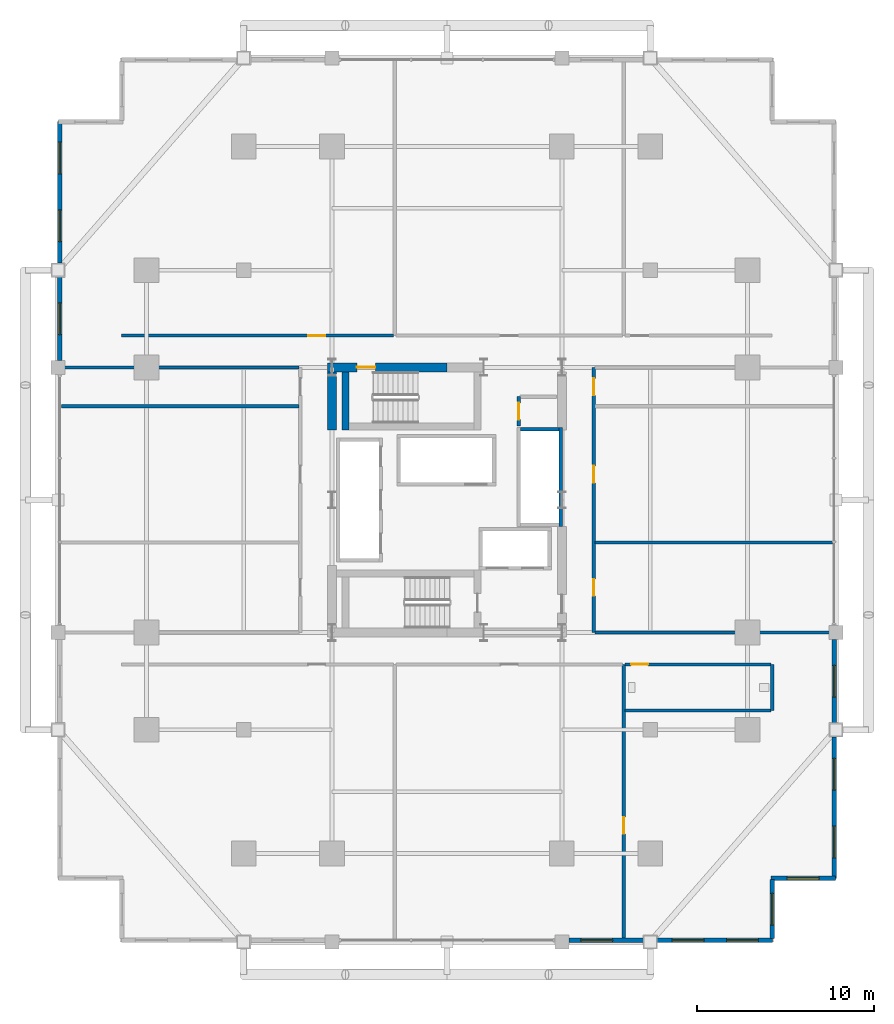
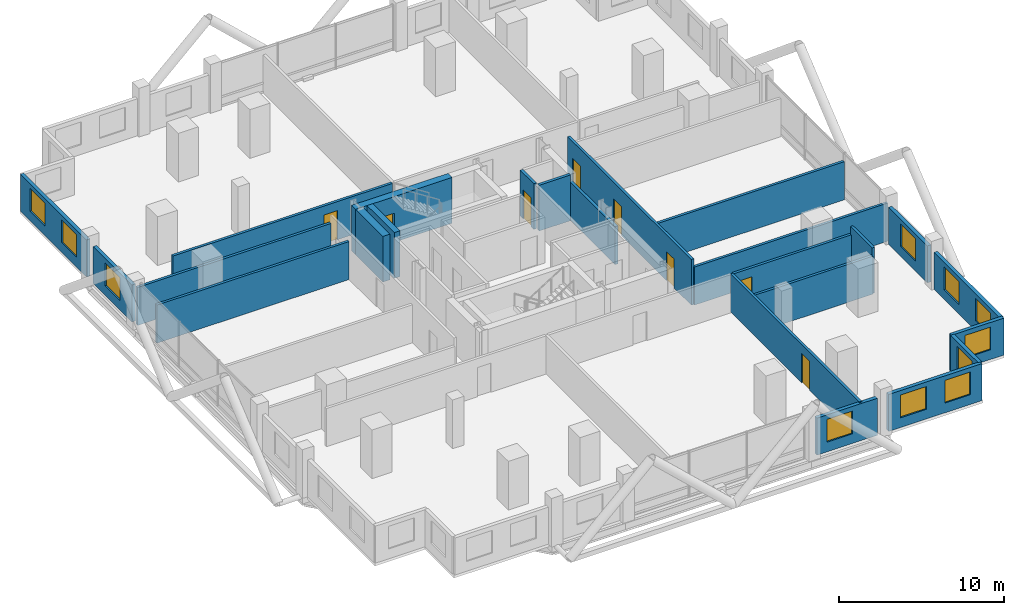
# One storey, part 22 of 26: 24 walls, 11 windows, 8 doors, 19 openings.
"""IFC4 building model written with IfcOpenShell, lengths in metres."""

import ifcopenshell
import ifcopenshell.guid

model = None  # the IFC model being written
_history = None  # IfcOwnerHistory: only IFC2X3 demands one
_inside = {}  # id of a spatial element -> (the spatial element, [elements in it])
_under = {}  # id of a project, library or spatial element -> (it, [spatial elements below it])
_declared = {}  # id of a project -> (the project, [libraries it declares])
_typed = {}  # id of a type object -> (the type object, [elements of that type])
_made_of = {}  # id of a material, layer set ... -> (it, [elements and type objects made of it])


def new_model(schema):
    """Start an empty IFC model of exactly this schema.

    Asked for "IFC4X3", IfcOpenShell would pick the latest addendum, in which some entities
    have other attributes; the version numbers below select the first issue.
    IFC2X3 requires an IfcOwnerHistory on every rooted entity: one is made here for all.
    """
    global model, _history
    if schema == "IFC4X3":
        model = ifcopenshell.file(schema_version=(4, 3, 0, 0))
    else:
        model = ifcopenshell.file(schema=schema)
    _inside.clear()
    _under.clear()
    _declared.clear()
    _typed.clear()
    _made_of.clear()
    _history = None
    if model.schema == "IFC2X3":
        org = make("IfcOrganization", Name="unknown")
        user = make(
            "IfcPersonAndOrganization",
            ThePerson=make("IfcPerson", FamilyName="unknown"),
            TheOrganization=org,
        )
        app = make(
            "IfcApplication",
            ApplicationDeveloper=org,
            Version="unknown",
            ApplicationFullName="unknown",
            ApplicationIdentifier="unknown",
        )
        _history = make(
            "IfcOwnerHistory",
            OwningUser=user,
            OwningApplication=app,
            ChangeAction="ADDED",
            CreationDate=0,
        )
    return model


def make(cls, **values):
    """One entity of the class cls with the attributes given. An attribute that is None is left unset."""
    return model.create_entity(
        cls, **{name: value for name, value in values.items() if value is not None}
    )


def rooted(cls, **values):
    """An entity with a GlobalId (a new one), such as an element, a storey or a relation."""
    return make(cls, GlobalId=ifcopenshell.guid.new(), OwnerHistory=_history, **values)


def si_unit(unit_type, name, prefix=None):
    """IfcSIUnit, for example si_unit("LENGTHUNIT", "METRE", prefix="MILLI")."""
    return make("IfcSIUnit", UnitType=unit_type, Prefix=prefix, Name=name)


def assignment(units):
    """IfcUnitAssignment: the units of a project."""
    return None if units is None else make("IfcUnitAssignment", Units=units)


def point(xyz):
    """IfcCartesianPoint."""
    return None if xyz is None else make("IfcCartesianPoint", Coordinates=xyz)


def direction(xyz):
    """IfcDirection."""
    return None if xyz is None else make("IfcDirection", DirectionRatios=xyz)


def frame(location, z_axis=None, x_axis=None):
    """IfcAxis2Placement3D, a coordinate frame: its origin and axes. An axis left out is left unset."""
    return make(
        "IfcAxis2Placement3D",
        Location=point(location),
        Axis=direction(z_axis),
        RefDirection=direction(x_axis),
    )


def frame_2d(location, x_axis=None):
    """IfcAxis2Placement2D, a coordinate frame in the plane: its origin and x axis."""
    return make(
        "IfcAxis2Placement2D", Location=point(location), RefDirection=direction(x_axis)
    )


def origin():
    """The frame at (0, 0, 0) with its axes left unset."""
    return frame((0.0, 0.0, 0.0))


def place(relative_to, where):
    """IfcLocalPlacement: puts the frame where relative to a parent placement (None: the world)."""
    return make(
        "IfcLocalPlacement", PlacementRelTo=relative_to, RelativePlacement=where
    )


def context(
    kind, dimensions, precision=None, world=None, true_north=None, identifier=None
):
    """IfcGeometricRepresentationContext, for example the 3D "Model" context."""
    return make(
        "IfcGeometricRepresentationContext",
        ContextIdentifier=identifier,
        ContextType=kind,
        CoordinateSpaceDimension=dimensions,
        Precision=precision,
        WorldCoordinateSystem=world,
        TrueNorth=true_north,
    )


def subcontext(parent, identifier, kind, view, scale=None):
    """IfcGeometricRepresentationSubContext, for example "Body" below "Model"."""
    return make(
        "IfcGeometricRepresentationSubContext",
        ContextIdentifier=identifier,
        ContextType=kind,
        ParentContext=parent,
        TargetScale=scale,
        TargetView=view,
    )


def project(units=None, contexts=None):
    """IfcProject with its units and contexts."""
    return rooted(
        "IfcProject",
        Name="project",
        RepresentationContexts=contexts,
        UnitsInContext=assignment(units),
    )


def spatial(cls, under=None, at=None, **own):
    """A site, building, storey or space (cls), placed at a placement, below another one or the project."""
    s = rooted(cls, ObjectPlacement=at, **own)
    if under is not None:
        _under.setdefault(under.id(), (under, []))[1].append(s)
    return s


def profile(cls, at=None, kind="AREA", **sizes):
    """A parametric profile (cls). Its sizes go by their IFC names, for example OverallWidth=200.0."""
    return make(cls, ProfileType=kind, Position=at, **sizes)


def rectangle(**sizes):
    """IfcRectangleProfileDef."""
    return profile("IfcRectangleProfileDef", **sizes)


def extrude(swept, where, along, depth):
    """IfcExtrudedAreaSolid: the profile swept, set in the frame where, extruded along a direction by depth."""
    return make(
        "IfcExtrudedAreaSolid",
        SweptArea=swept,
        Position=where,
        ExtrudedDirection=direction(along),
        Depth=depth,
    )


def shape(context_of_items, identifier, shape_type, items):
    """IfcShapeRepresentation: the items that make up one representation, for example the "Body"."""
    return make(
        "IfcShapeRepresentation",
        ContextOfItems=context_of_items,
        RepresentationIdentifier=identifier,
        RepresentationType=shape_type,
        Items=items,
    )


def material(Name=None, Category=None):
    """IfcMaterial."""
    return make("IfcMaterial", Name=Name, Category=Category)


def layer(
    of_material, thickness, ventilated=None, Name=None, Category=None, Priority=None
):
    """IfcMaterialLayer: one layer of a wall or slab, of a material (None: an air gap)."""
    return make(
        "IfcMaterialLayer",
        Material=of_material,
        LayerThickness=thickness,
        IsVentilated=ventilated,
        Name=Name,
        Category=Category,
        Priority=Priority,
    )


def layer_set(layers, Name=None):
    """IfcMaterialLayerSet."""
    return make("IfcMaterialLayerSet", MaterialLayers=layers, LayerSetName=Name)


def made_of(thing, what):
    """Note that an element or type object is made of a material, layer set ...; save() writes the relation."""
    if what is not None:
        _made_of.setdefault(what.id(), (what, []))[1].append(thing)
    return thing


def type_object(cls, material=None, **own):
    """A type object (cls), such as IfcWallType, which elements share."""
    return made_of(rooted(cls, **own), material)


def element(
    cls,
    number,
    at=None,
    inside=None,
    cuts=None,
    type_object=None,
    material=None,
    context=None,
    identifier="Body",
    shape_type=None,
    held_by="IfcProductDefinitionShape",
    body=None,
    shapes=None,
    **own,
):
    """One element of the class cls, such as IfcWall. Its Tag is "e" and its number.

    at: its placement. inside: the storey or other place that contains it. cuts: it is an
    opening in that element (IfcRelVoidsElement). A single representation is given by context,
    identifier, shape_type and body (its items); several are given by shapes. held_by: the class
    of the entity that holds the representations. save() writes the other relations.
    """
    e = rooted(cls, Tag="e%d" % number, ObjectPlacement=at, **own)
    if body is not None:
        shapes = [shape(context, identifier, shape_type, body)]
    if shapes is not None:
        e.Representation = make(held_by, Representations=shapes)
    if inside is not None:
        _inside.setdefault(inside.id(), (inside, []))[1].append(e)
    if cuts is not None:
        rooted(
            "IfcRelVoidsElement", RelatingBuildingElement=cuts, RelatedOpeningElement=e
        )
    if type_object is not None:
        _typed.setdefault(type_object.id(), (type_object, []))[1].append(e)
    return made_of(e, material)


def fill(opening, filler):
    """IfcRelFillsElement: the door or window that sits in an opening."""
    return rooted(
        "IfcRelFillsElement",
        RelatingOpeningElement=opening,
        RelatedBuildingElement=filler,
    )


def aggregate(whole, parts):
    """IfcRelAggregates: a whole, such as a stair, and the parts it consists of."""
    return rooted("IfcRelAggregates", RelatingObject=whole, RelatedObjects=parts)


def save(model, path):
    """Write the relations noted so far, then the file.

    IfcRelAggregates (storeys below a building ...), IfcRelContainedInSpatialStructure (elements
    in a storey), IfcRelDefinesByType, IfcRelAssociatesMaterial and IfcRelDeclares: one each for
    every whole, place, type object, material and project.
    """
    for whole, parts in _under.values():
        aggregate(whole, parts)
    for where, things in _inside.values():
        rooted(
            "IfcRelContainedInSpatialStructure",
            RelatedElements=things,
            RelatingStructure=where,
        )
    for kind, things in _typed.values():
        rooted("IfcRelDefinesByType", RelatedObjects=things, RelatingType=kind)
    for what, things in _made_of.values():
        rooted("IfcRelAssociatesMaterial", RelatedObjects=things, RelatingMaterial=what)
    for by, libraries in _declared.values():
        rooted("IfcRelDeclares", RelatingContext=by, RelatedDefinitions=libraries)
    model.write(path)


model = new_model("IFC4")

# Units and contexts
model_context = context("Model", 3, precision=1e-05, world=origin(), true_north=direction((0.0, 1.0)))
body_context = subcontext(model_context, "Body", "Model", "MODEL_VIEW")
ifc_project = project(units=[si_unit("LENGTHUNIT", "METRE"), si_unit("AREAUNIT", "SQUARE_METRE"), si_unit("VOLUMEUNIT", "CUBIC_METRE"), si_unit("PLANEANGLEUNIT", "RADIAN"), si_unit("MASSUNIT", "GRAM", prefix="KILO")], contexts=[model_context])

# Site, building, storey
site_placement = place(None, origin())
site = spatial("IfcSite", under=ifc_project, at=site_placement, CompositionType="ELEMENT")
building_placement = place(site_placement, origin())
building = spatial("IfcBuilding", under=site, at=building_placement, Name="Barlavira Tower and Art Museum", CompositionType="ELEMENT")
storey_placement = place(building_placement, frame((0.0, 0.0, 82.800048828125)))
storey = spatial("IfcBuildingStorey", under=building, at=storey_placement, Name="L20", CompositionType="ELEMENT", Elevation=82.800048828125)

# Wall, opening, door
ifc_material_1 = material(Name="Concrete C60", Category="concrete")
ifc_layer_1 = layer(ifc_material_1, 0.5, Name="Concrete C60")
ifc_layer_set_1 = layer_set([ifc_layer_1], Name="Concrete C60")
wall_type_1 = type_object("IfcWallType", Name="Core Structural Shear Wall 500 Concrete C60", PredefinedType="SHEAR", material=ifc_layer_set_1)
wall_1_placement = place(storey_placement, frame((-6.75, 7.5, 0.0), z_axis=(0.0, 0.0, 1.0), x_axis=(1.0, 0.0, 0.0)))
wall_1 = element("IfcWall", 1, at=wall_1_placement, inside=storey, type_object=wall_type_1, Name="L20 Core Shear Wall CS-NW", PredefinedType="SHEAR", context=body_context, shape_type="SweptSolid", body=[
    extrude(rectangle(XDim=6.75, YDim=0.5, at=frame_2d((3.375, 0.0))), origin(), (0.0, 0.0, 1.0), 3.3798828125),
])
opening_1_placement = place(wall_1_placement, frame((1.64990234375, 0.0, 0.0)))
opening_1 = element("IfcOpeningElement", 2, at=opening_1_placement, cuts=wall_1, Name="Opening FD-90", PredefinedType="OPENING", context=body_context, shape_type="SweptSolid", body=[
    extrude(rectangle(XDim=1.050048828125, YDim=2.14990234375, at=frame_2d((0.52490234375, 1.074951171875))), frame((0.0, 0.260009765625, 0.0), z_axis=(0.0, -1.0, 0.0), x_axis=(1.0, 0.0, 0.0)), (0.0, 0.0, 1.0), 0.52001953125),
])
ifc_material_2 = material(Name="Brushed stainless steel", Category="steel")
door_type_1 = type_object("IfcDoorType", Name="Stair and Refuge Fire Door 1050x2150 FD90S", OperationType="NOTDEFINED", PredefinedType="DOOR", material=ifc_material_2)
door_1_placement = place(opening_1_placement, origin())
door_1 = element("IfcDoor", 3, at=door_1_placement, inside=storey, type_object=door_type_1, Name="L20 Stair ST-T2 Fire Door", OperationType="SINGLE_SWING_LEFT", OverallHeight=2.14990234375, OverallWidth=1.050048828125, PredefinedType="DOOR", context=body_context, shape_type="SweptSolid", body=[
    extrude(rectangle(XDim=1.050048828125, YDim=2.14990234375, at=frame_2d((0.52490234375, 1.074951171875))), frame((0.0, 0.02490234375, 0.0), z_axis=(0.0, -1.0, 0.0), x_axis=(1.0, 0.0, 0.0)), (0.0, 0.0, 1.0), 0.050048828125),
])
fill(opening_1, door_1)

# Walls
wall_2_placement = place(storey_placement, frame((-6.5, 3.949951171875, 0.0), z_axis=(0.0, 0.0, 1.0), x_axis=(0.0, 1.0, 0.0)))
element("IfcWall", 4, at=wall_2_placement, inside=storey, type_object=wall_type_1, Name="L20 Core Shear Wall CS-W2", PredefinedType="SHEAR", context=body_context, shape_type="SweptSolid", body=[
    extrude(rectangle(XDim=3.300048828125, YDim=0.5, at=frame_2d((1.64990234375, 0.0))), origin(), (0.0, 0.0, 1.0), 3.3798828125),
])
ifc_material_3 = material(Name="Autoclaved aerated concrete masonry", Category="masonry")
ifc_layer_2 = layer(ifc_material_3, 0.199951171875, Name="Autoclaved aerated concrete masonry")
ifc_layer_set_2 = layer_set([ifc_layer_2], Name="Autoclaved aerated concrete masonry")
wall_type_2 = type_object("IfcWallType", Name="Fire Compartment and Shaft Wall 200", PredefinedType="SOLIDWALL", material=ifc_layer_set_2)
wall_3_placement = place(storey_placement, frame((6.449951171875, -1.489990234375, 0.0), z_axis=(0.0, 0.0, 1.0), x_axis=(0.0, 1.0, 0.0)))
element("IfcWall", 5, at=wall_3_placement, inside=storey, type_object=wall_type_2, Name="L20 Mid-Rise Lift Back Shaft Wall", PredefinedType="SOLIDWALL", context=body_context, shape_type="SweptSolid", body=[
    extrude(rectangle(XDim=5.580078125, YDim=0.199951171875, at=frame_2d((2.7900390625, 0.0))), origin(), (0.0, 0.0, 1.0), 2.81591796875),
])
wall_4_placement = place(storey_placement, frame((4.14990234375, 3.989990234375, 0.0), z_axis=(0.0, 0.0, 1.0), x_axis=(1.0, 0.0, 0.0)))
element("IfcWall", 6, at=wall_4_placement, inside=storey, type_object=wall_type_2, Name="L20 Mid-Rise Lift North Shaft Wall", PredefinedType="SOLIDWALL", context=body_context, shape_type="SweptSolid", body=[
    extrude(rectangle(XDim=2.2001953125, YDim=0.199951171875, at=frame_2d((1.10009765625, 0.0))), origin(), (0.0, 0.0, 1.0), 3.3798828125),
])

# Wall, opening, door
wall_5_placement = place(storey_placement, frame((4.050048828125, 4.199951171875, 0.0), z_axis=(0.0, 0.0, 1.0), x_axis=(0.0, 1.0, 0.0)))
wall_5 = element("IfcWall", 7, at=wall_5_placement, inside=storey, type_object=wall_type_2, Name="L20 Partition Wall 4", PredefinedType="SOLIDWALL", context=body_context, shape_type="SweptSolid", body=[
    extrude(rectangle(XDim=1.650146484375, YDim=0.199951171875, at=frame_2d((0.8251953125, 0.0))), origin(), (0.0, 0.0, 1.0), 3.3798828125),
])
opening_2_placement = place(wall_5_placement, frame((0.344970703125, 0.0, 0.0)))
opening_2 = element("IfcOpeningElement", 8, at=opening_2_placement, cuts=wall_5, Name="Opening FD-60", PredefinedType="OPENING", context=body_context, shape_type="SweptSolid", body=[
    extrude(rectangle(XDim=0.949951171875, YDim=2.14990234375, at=frame_2d((0.47509765625, 1.074951171875))), frame((0.0, 0.10986328125, 0.0), z_axis=(0.0, -1.0, 0.0), x_axis=(1.0, 0.0, 0.0)), (0.0, 0.0, 1.0), 0.219970703125),
])
door_type_2 = type_object("IfcDoorType", Name="Apartment Entrance and Riser Fire Door 950x2150 FD60S", OperationType="NOTDEFINED", PredefinedType="DOOR", material=ifc_material_2)
door_2_placement = place(opening_2_placement, origin())
door_2 = element("IfcDoor", 9, at=door_2_placement, inside=storey, type_object=door_type_2, Name="Telecom and BMS Distribution Room Door", OperationType="SINGLE_SWING_RIGHT", OverallHeight=2.14990234375, OverallWidth=0.949951171875, PredefinedType="DOOR", context=body_context, shape_type="SweptSolid", body=[
    extrude(rectangle(XDim=0.949951171875, YDim=2.14990234375, at=frame_2d((0.47509765625, 1.074951171875))), frame((0.0, 0.02490234375, 0.0), z_axis=(0.0, -1.0, 0.0), x_axis=(1.0, 0.0, 0.0)), (0.0, 0.0, 1.0), 0.050048828125),
])
fill(opening_2, door_2)

# Wall, openings, doors
ifc_material_4 = material(Name="Gypsum acoustic stud partition", Category="gypsum")
ifc_layer_3 = layer(ifc_material_4, 0.179931640625, Name="Gypsum acoustic stud partition")
ifc_layer_set_3 = layer_set([ifc_layer_3], Name="Gypsum acoustic stud partition")
wall_type_3 = type_object("IfcWallType", Name="Inter-Tenancy Party Partition Wall 180", PredefinedType="PARTITIONING", material=ifc_layer_set_3)
wall_6_placement = place(storey_placement, frame((8.300048828125, -7.5, 0.0), z_axis=(0.0, 0.0, 1.0), x_axis=(0.0, 1.0, 0.0)))
wall_6 = element("IfcWall", 10, at=wall_6_placement, inside=storey, type_object=wall_type_3, Name="L20 Partition Wall 5", PredefinedType="PARTITIONING", context=body_context, shape_type="SweptSolid", body=[
    extrude(rectangle(XDim=15.0, YDim=0.179931640625, at=frame_2d((7.5, 0.0))), origin(), (0.0, 0.0, 1.0), 3.3798828125),
])
opening_3_placement = place(wall_6_placement, frame((2.074951171875, 0.0, 0.0)))
opening_3 = element("IfcOpeningElement", 11, at=opening_3_placement, cuts=wall_6, Name="Opening FD-60", PredefinedType="OPENING", context=body_context, shape_type="SweptSolid", body=[
    extrude(rectangle(XDim=0.949951171875, YDim=2.14990234375, at=frame_2d((0.47509765625, 1.074951171875))), frame((0.0, 0.10009765625, 0.0), z_axis=(0.0, -1.0, 0.0), x_axis=(1.0, 0.0, 0.0)), (0.0, 0.0, 1.0), 0.199951171875),
])
opening_4_placement = place(wall_6_placement, frame((8.47509765625, 0.0, 0.0)))
opening_4 = element("IfcOpeningElement", 12, at=opening_4_placement, cuts=wall_6, Name="Opening FD-60", PredefinedType="OPENING", context=body_context, shape_type="SweptSolid", body=[
    extrude(rectangle(XDim=0.949951171875, YDim=2.14990234375, at=frame_2d((0.47509765625, 1.074951171875))), frame((0.0, 0.10009765625, 0.0), z_axis=(0.0, -1.0, 0.0), x_axis=(1.0, 0.0, 0.0)), (0.0, 0.0, 1.0), 0.199951171875),
])
opening_5_placement = place(wall_6_placement, frame((13.425048828125, 0.0, 0.0)))
opening_5 = element("IfcOpeningElement", 13, at=opening_5_placement, cuts=wall_6, Name="Opening FD-60", PredefinedType="OPENING", context=body_context, shape_type="SweptSolid", body=[
    extrude(rectangle(XDim=0.949951171875, YDim=2.14990234375, at=frame_2d((0.47509765625, 1.074951171875))), frame((0.0, 0.10009765625, 0.0), z_axis=(0.0, -1.0, 0.0), x_axis=(1.0, 0.0, 0.0)), (0.0, 0.0, 1.0), 0.199951171875),
])
door_3_placement = place(opening_3_placement, origin())
door_3 = element("IfcDoor", 14, at=door_3_placement, inside=storey, type_object=door_type_2, Name="Resident Sky Coworking Studio Door", OperationType="SINGLE_SWING_LEFT", OverallHeight=2.14990234375, OverallWidth=0.949951171875, PredefinedType="DOOR", context=body_context, shape_type="SweptSolid", body=[
    extrude(rectangle(XDim=0.949951171875, YDim=2.14990234375, at=frame_2d((0.47509765625, 1.074951171875))), frame((0.0, 0.02490234375, 0.0), z_axis=(0.0, -1.0, 0.0), x_axis=(1.0, 0.0, 0.0)), (0.0, 0.0, 1.0), 0.050048828125),
])
fill(opening_3, door_3)
door_4_placement = place(opening_4_placement, origin())
door_4 = element("IfcDoor", 15, at=door_4_placement, inside=storey, type_object=door_type_2, Name="Atlantic Horizon Boardroom Door", OperationType="SINGLE_SWING_RIGHT", OverallHeight=2.14990234375, OverallWidth=0.949951171875, PredefinedType="DOOR", context=body_context, shape_type="SweptSolid", body=[
    extrude(rectangle(XDim=0.949951171875, YDim=2.14990234375, at=frame_2d((0.47509765625, 1.074951171875))), frame((0.0, 0.02490234375, 0.0), z_axis=(0.0, -1.0, 0.0), x_axis=(1.0, 0.0, 0.0)), (0.0, 0.0, 1.0), 0.050048828125),
])
fill(opening_4, door_4)
door_5_placement = place(opening_5_placement, origin())
door_5 = element("IfcDoor", 16, at=door_5_placement, inside=storey, type_object=door_type_2, Name="Shared Coworking Espresso Pantry Door", OperationType="SINGLE_SWING_LEFT", OverallHeight=2.14990234375, OverallWidth=0.949951171875, PredefinedType="DOOR", context=body_context, shape_type="SweptSolid", body=[
    extrude(rectangle(XDim=0.949951171875, YDim=2.14990234375, at=frame_2d((0.47509765625, 1.074951171875))), frame((0.0, 0.02490234375, 0.0), z_axis=(0.0, -1.0, 0.0), x_axis=(1.0, 0.0, 0.0)), (0.0, 0.0, 1.0), 0.050048828125),
])
fill(opening_5, door_5)

# Wall, opening, door
wall_7_placement = place(storey_placement, frame((10.0, -24.89990234375, 0.0), z_axis=(0.0, 0.0, 1.0), x_axis=(0.0, 1.0, 0.0)))
wall_7 = element("IfcWall", 17, at=wall_7_placement, inside=storey, type_object=wall_type_3, Name="L20 Partition Wall 6", PredefinedType="PARTITIONING", context=body_context, shape_type="SweptSolid", body=[
    extrude(rectangle(XDim=15.599853515625, YDim=0.179931640625, at=frame_2d((7.7998046875, 0.0))), origin(), (0.0, 0.0, 1.0), 2.81591796875),
])
opening_6_placement = place(wall_7_placement, frame((6.014892578125, 0.0, 0.0)))
opening_6 = element("IfcOpeningElement", 18, at=opening_6_placement, cuts=wall_7, Name="Opening FD-60", PredefinedType="OPENING", context=body_context, shape_type="SweptSolid", body=[
    extrude(rectangle(XDim=0.949951171875, YDim=2.14990234375, at=frame_2d((0.47509765625, 1.074951171875))), frame((0.0, 0.10009765625, 0.0), z_axis=(0.0, -1.0, 0.0), x_axis=(1.0, 0.0, 0.0)), (0.0, 0.0, 1.0), 0.199951171875),
])
door_6_placement = place(opening_6_placement, origin())
door_6 = element("IfcDoor", 19, at=door_6_placement, inside=storey, type_object=door_type_2, Name="Thermal Relaxation Lounge Door", OperationType="SINGLE_SWING_RIGHT", OverallHeight=2.14990234375, OverallWidth=0.949951171875, PredefinedType="DOOR", context=body_context, shape_type="SweptSolid", body=[
    extrude(rectangle(XDim=0.949951171875, YDim=2.14990234375, at=frame_2d((0.47509765625, 1.074951171875))), frame((0.0, 0.02490234375, 0.0), z_axis=(0.0, -1.0, 0.0), x_axis=(1.0, 0.0, 0.0)), (0.0, 0.0, 1.0), 0.050048828125),
])
fill(opening_6, door_6)

# Walls
wall_8_placement = place(storey_placement, frame((18.39990234375, -11.919921875, 0.0), z_axis=(0.0, 0.0, 1.0), x_axis=(0.0, 1.0, 0.0)))
element("IfcWall", 20, at=wall_8_placement, inside=storey, type_object=wall_type_3, Name="L20 Partition Wall 8", PredefinedType="PARTITIONING", context=body_context, shape_type="SweptSolid", body=[
    extrude(rectangle(XDim=2.619873046875, YDim=0.179931640625, at=frame_2d((1.31005859375, 0.0))), origin(), (0.0, 0.0, 1.0), 3.3798828125),
])
wall_9_placement = place(storey_placement, frame((10.080078125, -11.89990234375, 0.0), z_axis=(0.0, 0.0, 1.0), x_axis=(1.0, 0.0, 0.0)))
element("IfcWall", 21, at=wall_9_placement, inside=storey, type_object=wall_type_3, Name="L20 Partition Wall 9", PredefinedType="PARTITIONING", context=body_context, shape_type="SweptSolid", body=[
    extrude(rectangle(XDim=8.239990234375, YDim=0.179931640625, at=frame_2d((4.1201171875, 0.0))), origin(), (0.0, 0.0, 1.0), 2.81591796875),
])

# Wall, opening, door
wall_10_placement = place(storey_placement, frame((10.080078125, -9.300048828125, 0.0), z_axis=(0.0, 0.0, 1.0), x_axis=(1.0, 0.0, 0.0)))
wall_10 = element("IfcWall", 22, at=wall_10_placement, inside=storey, type_object=wall_type_3, Name="L20 Partition Wall 12", PredefinedType="PARTITIONING", context=body_context, shape_type="SweptSolid", body=[
    extrude(rectangle(XDim=8.239990234375, YDim=0.179931640625, at=frame_2d((4.1201171875, 0.0))), origin(), (0.0, 0.0, 1.0), 2.81591796875),
])
opening_7_placement = place(wall_10_placement, frame((0.344970703125, 0.0, 0.0)))
opening_7 = element("IfcOpeningElement", 23, at=opening_7_placement, cuts=wall_10, Name="Opening FD-60", PredefinedType="OPENING", context=body_context, shape_type="SweptSolid", body=[
    extrude(rectangle(XDim=0.949951171875, YDim=2.14990234375, at=frame_2d((0.47509765625, 1.074951171875))), frame((0.0, 0.10009765625, 0.0), z_axis=(0.0, -1.0, 0.0), x_axis=(1.0, 0.0, 0.0)), (0.0, 0.0, 1.0), 0.199951171875),
])
door_7_placement = place(opening_7_placement, origin())
door_7 = element("IfcDoor", 24, at=door_7_placement, inside=storey, type_object=door_type_2, Name="Wellness Changing and Accessible Shower WC Door", OperationType="SINGLE_SWING_LEFT", OverallHeight=2.14990234375, OverallWidth=0.949951171875, PredefinedType="DOOR", context=body_context, shape_type="SweptSolid", body=[
    extrude(rectangle(XDim=0.949951171875, YDim=2.14990234375, at=frame_2d((0.47509765625, 1.074951171875))), frame((0.0, 0.02490234375, 0.0), z_axis=(0.0, -1.0, 0.0), x_axis=(1.0, 0.0, 0.0)), (0.0, 0.0, 1.0), 0.050048828125),
])
fill(opening_7, door_7)

# Walls
wall_11_placement = place(storey_placement, frame((8.3798828125, -7.5, 0.0), z_axis=(0.0, 0.0, 1.0), x_axis=(1.0, 0.0, 0.0)))
element("IfcWall", 25, at=wall_11_placement, inside=storey, type_object=wall_type_3, Name="L20 Partition Wall 14", PredefinedType="PARTITIONING", context=body_context, shape_type="SweptSolid", body=[
    extrude(rectangle(XDim=13.52001953125, YDim=0.179931640625, at=frame_2d((6.760009765625, 0.0))), origin(), (0.0, 0.0, 1.0), 2.81591796875),
])
for number, where, z_axis, x_axis, name in (
    (26, (8.3798828125, -2.39990234375, 0.0), (0.0, 0.0, 1.0), (1.0, 0.0, 0.0), "L20 Partition Wall 16"),
    (27, (-21.820068359375, 5.300048828125, 0.0), (0.0, 0.0, 1.0), (1.0, 0.0, 0.0), "L20 Partition Wall 17"),
):
    element("IfcWall", number, at=place(storey_placement, frame(where, z_axis=z_axis, x_axis=x_axis)), inside=storey, type_object=wall_type_3, Name=name, PredefinedType="PARTITIONING", context=body_context, shape_type="SweptSolid", body=[
        extrude(rectangle(XDim=13.440185546875, YDim=0.179931640625, at=frame_2d((6.72021484375, 0.0))), origin(), (0.0, 0.0, 1.0), 2.81591796875),
    ])
wall_12_placement = place(storey_placement, frame((-21.89990234375, 7.5, 0.0), z_axis=(0.0, 0.0, 1.0), x_axis=(1.0, 0.0, 0.0)))
element("IfcWall", 28, at=wall_12_placement, inside=storey, type_object=wall_type_3, Name="L20 Partition Wall 20", PredefinedType="PARTITIONING", context=body_context, shape_type="SweptSolid", body=[
    extrude(rectangle(XDim=13.52001953125, YDim=0.179931640625, at=frame_2d((6.760009765625, 0.0))), origin(), (0.0, 0.0, 1.0), 2.81591796875),
])

# Wall, opening, door
wall_13_placement = place(storey_placement, frame((-18.39990234375, 9.300048828125, 0.0), z_axis=(0.0, 0.0, 1.0), x_axis=(1.0, 0.0, 0.0)))
wall_13 = element("IfcWall", 29, at=wall_13_placement, inside=storey, type_object=wall_type_3, Name="L20 Partition Wall 22", PredefinedType="PARTITIONING", context=body_context, shape_type="SweptSolid", body=[
    extrude(rectangle(XDim=15.369873046875, YDim=0.179931640625, at=frame_2d((7.68505859375, 0.0))), origin(), (0.0, 0.0, 1.0), 2.81591796875),
])
opening_8_placement = place(wall_13_placement, frame((10.554931640625, 0.0, 0.0)))
opening_8 = element("IfcOpeningElement", 30, at=opening_8_placement, cuts=wall_13, Name="Opening FD-60", PredefinedType="OPENING", context=body_context, shape_type="SweptSolid", body=[
    extrude(rectangle(XDim=0.949951171875, YDim=2.14990234375, at=frame_2d((0.47509765625, 1.074951171875))), frame((0.0, 0.10009765625, 0.0), z_axis=(0.0, -1.0, 0.0), x_axis=(1.0, 0.0, 0.0)), (0.0, 0.0, 1.0), 0.199951171875),
])
door_8_placement = place(opening_8_placement, origin())
door_8 = element("IfcDoor", 31, at=door_8_placement, inside=storey, type_object=door_type_2, Name="Resident Rare-Book Reading Room Door", OperationType="SINGLE_SWING_LEFT", OverallHeight=2.14990234375, OverallWidth=0.949951171875, PredefinedType="DOOR", context=body_context, shape_type="SweptSolid", body=[
    extrude(rectangle(XDim=0.949951171875, YDim=2.14990234375, at=frame_2d((0.47509765625, 1.074951171875))), frame((0.0, 0.02490234375, 0.0), z_axis=(0.0, -1.0, 0.0), x_axis=(1.0, 0.0, 0.0)), (0.0, 0.0, 1.0), 0.050048828125),
])
fill(opening_8, door_8)

# Wall, opening, window
ifc_material_5 = material(Name="Precast concrete C40", Category="concrete")
ifc_layer_4 = layer(ifc_material_5, 0.25, Name="Precast concrete C40")
ifc_layer_set_4 = layer_set([ifc_layer_4], Name="Precast concrete C40")
wall_type_4 = type_object("IfcWallType", Name="Notched Corner Spandrel Wall 250 Precast Concrete C40", PredefinedType="SOLIDWALL", material=ifc_layer_set_4)
wall_14_placement = place(storey_placement, frame((6.89501953125, -24.89990234375, 0.0), z_axis=(0.0, 0.0, 1.0), x_axis=(1.0, 0.0, 0.0)))
wall_14 = element("IfcWall", 32, at=wall_14_placement, inside=storey, type_object=wall_type_4, Name="L20 Coastal Facade Pier Wall CW1-L20-S-4", PredefinedType="SOLIDWALL", context=body_context, shape_type="SweptSolid", body=[
    extrude(rectangle(XDim=4.2099609375, YDim=0.25, at=frame_2d((2.10498046875, 0.0))), origin(), (0.0, 0.0, 1.0), 2.73583984375),
])
opening_9_placement = place(wall_14_placement, frame((0.675048828125, 0.0, 0.719970703125)))
opening_9 = element("IfcOpeningElement", 33, at=opening_9_placement, cuts=wall_14, Name="Opening WN-01", PredefinedType="OPENING", context=body_context, shape_type="SweptSolid", body=[
    extrude(rectangle(XDim=1.800048828125, YDim=1.679931640625, at=frame_2d((0.89990234375, 0.83984375))), frame((0.0, 0.135009765625, 0.0), z_axis=(0.0, -1.0, 0.0), x_axis=(1.0, 0.0, 0.0)), (0.0, 0.0, 1.0), 0.27001953125),
])
ifc_material_6 = material(Name="Low-iron coastal laminated glass", Category="glass")
window_type = type_object("IfcWindowType", Name="Recessed Notch Corner Punch Window 1800x1680", PartitioningType="SINGLE_PANEL", PredefinedType="WINDOW", material=ifc_material_6)
window_1_placement = place(opening_9_placement, origin())
window_1 = element("IfcWindow", 34, at=window_1_placement, inside=storey, type_object=window_type, Name="L20 Punched Facade Window EWP-CW1-L20-S-4-1", OverallHeight=1.679931640625, OverallWidth=1.800048828125, PartitioningType="SINGLE_PANEL", PredefinedType="WINDOW", context=body_context, shape_type="SweptSolid", body=[
    extrude(rectangle(XDim=1.800048828125, YDim=1.679931640625, at=frame_2d((0.89990234375, 0.83984375))), frame((0.0, 0.030029296875, 0.0), z_axis=(0.0, -1.0, 0.0), x_axis=(1.0, 0.0, 0.0)), (0.0, 0.0, 1.0), 0.06005859375),
])
fill(opening_9, window_1)

# Wall, openings, windows
wall_15_placement = place(storey_placement, frame((11.89501953125, -24.89990234375, 0.0), z_axis=(0.0, 0.0, 1.0), x_axis=(1.0, 0.0, 0.0)))
wall_15 = element("IfcWall", 35, at=wall_15_placement, inside=storey, type_object=wall_type_4, Name="L20 Coastal Facade Pier Wall CW1-L20-S-5", PredefinedType="SOLIDWALL", context=body_context, shape_type="SweptSolid", body=[
    extrude(rectangle(XDim=6.530029296875, YDim=0.25, at=frame_2d((3.26513671875, 0.0))), origin(), (0.0, 0.0, 1.0), 2.73583984375),
])
opening_10_placement = place(wall_15_placement, frame((0.845947265625, 0.0, 0.719970703125)))
opening_10 = element("IfcOpeningElement", 36, at=opening_10_placement, cuts=wall_15, Name="Opening WN-01", PredefinedType="OPENING", context=body_context, shape_type="SweptSolid", body=[
    extrude(rectangle(XDim=1.800048828125, YDim=1.679931640625, at=frame_2d((0.89990234375, 0.83984375))), frame((0.0, 0.135009765625, 0.0), z_axis=(0.0, -1.0, 0.0), x_axis=(1.0, 0.0, 0.0)), (0.0, 0.0, 1.0), 0.27001953125),
])
opening_11_placement = place(wall_15_placement, frame((3.928955078125, 0.0, 0.719970703125)))
opening_11 = element("IfcOpeningElement", 37, at=opening_11_placement, cuts=wall_15, Name="Opening WN-01", PredefinedType="OPENING", context=body_context, shape_type="SweptSolid", body=[
    extrude(rectangle(XDim=1.800048828125, YDim=1.679931640625, at=frame_2d((0.89990234375, 0.83984375))), frame((0.0, 0.135009765625, 0.0), z_axis=(0.0, -1.0, 0.0), x_axis=(1.0, 0.0, 0.0)), (0.0, 0.0, 1.0), 0.27001953125),
])
window_2_placement = place(opening_10_placement, origin())
window_2 = element("IfcWindow", 38, at=window_2_placement, inside=storey, type_object=window_type, Name="L20 Punched Facade Window EWP-CW1-L20-S-5-1", OverallHeight=1.679931640625, OverallWidth=1.800048828125, PartitioningType="SINGLE_PANEL", PredefinedType="WINDOW", context=body_context, shape_type="SweptSolid", body=[
    extrude(rectangle(XDim=1.800048828125, YDim=1.679931640625, at=frame_2d((0.89990234375, 0.83984375))), frame((0.0, 0.030029296875, 0.0), z_axis=(0.0, -1.0, 0.0), x_axis=(1.0, 0.0, 0.0)), (0.0, 0.0, 1.0), 0.06005859375),
])
fill(opening_10, window_2)
window_3_placement = place(opening_11_placement, origin())
window_3 = element("IfcWindow", 39, at=window_3_placement, inside=storey, type_object=window_type, Name="L20 Punched Facade Window EWP-CW1-L20-S-5-2", OverallHeight=1.679931640625, OverallWidth=1.800048828125, PartitioningType="SINGLE_PANEL", PredefinedType="WINDOW", context=body_context, shape_type="SweptSolid", body=[
    extrude(rectangle(XDim=1.800048828125, YDim=1.679931640625, at=frame_2d((0.89990234375, 0.83984375))), frame((0.0, 0.030029296875, 0.0), z_axis=(0.0, -1.0, 0.0), x_axis=(1.0, 0.0, 0.0)), (0.0, 0.0, 1.0), 0.06005859375),
])
fill(opening_11, window_3)

wall_16_placement = place(storey_placement, frame((-21.89990234375, 21.425048828125, 0.0), z_axis=(0.0, 0.0, 1.0), x_axis=(0.0, -1.0, 0.0)))
wall_16 = element("IfcWall", 40, at=wall_16_placement, inside=storey, type_object=wall_type_4, Name="L20 Coastal Facade Pier Wall CW1-L20-W-1", PredefinedType="SOLIDWALL", context=body_context, shape_type="SweptSolid", body=[
    extrude(rectangle(XDim=8.030029296875, YDim=0.25, at=frame_2d((4.01513671875, 0.0))), origin(), (0.0, 0.0, 1.0), 2.73583984375),
])
opening_12_placement = place(wall_16_placement, frame((1.176025390625, 0.0, 0.719970703125)))
opening_12 = element("IfcOpeningElement", 41, at=opening_12_placement, cuts=wall_16, Name="Opening WN-01", PredefinedType="OPENING", context=body_context, shape_type="SweptSolid", body=[
    extrude(rectangle(XDim=1.800048828125, YDim=1.679931640625, at=frame_2d((0.89990234375, 0.83984375))), frame((0.0, 0.135009765625, 0.0), z_axis=(0.0, -1.0, 0.0), x_axis=(1.0, 0.0, 0.0)), (0.0, 0.0, 1.0), 0.27001953125),
])
opening_13_placement = place(wall_16_placement, frame((5.009033203125, 0.0, 0.719970703125)))
opening_13 = element("IfcOpeningElement", 42, at=opening_13_placement, cuts=wall_16, Name="Opening WN-01", PredefinedType="OPENING", context=body_context, shape_type="SweptSolid", body=[
    extrude(rectangle(XDim=1.800048828125, YDim=1.679931640625, at=frame_2d((0.89990234375, 0.83984375))), frame((0.0, 0.135009765625, 0.0), z_axis=(0.0, -1.0, 0.0), x_axis=(1.0, 0.0, 0.0)), (0.0, 0.0, 1.0), 0.27001953125),
])
window_4_placement = place(opening_12_placement, origin())
window_4 = element("IfcWindow", 43, at=window_4_placement, inside=storey, type_object=window_type, Name="L20 Punched Facade Window EWP-CW1-L20-W-1-1", OverallHeight=1.679931640625, OverallWidth=1.800048828125, PartitioningType="SINGLE_PANEL", PredefinedType="WINDOW", context=body_context, shape_type="SweptSolid", body=[
    extrude(rectangle(XDim=1.800048828125, YDim=1.679931640625, at=frame_2d((0.89990234375, 0.83984375))), frame((0.0, 0.030029296875, 0.0), z_axis=(0.0, -1.0, 0.0), x_axis=(1.0, 0.0, 0.0)), (0.0, 0.0, 1.0), 0.06005859375),
])
fill(opening_12, window_4)
window_5_placement = place(opening_13_placement, origin())
window_5 = element("IfcWindow", 44, at=window_5_placement, inside=storey, type_object=window_type, Name="L20 Punched Facade Window EWP-CW1-L20-W-1-2", OverallHeight=1.679931640625, OverallWidth=1.800048828125, PartitioningType="SINGLE_PANEL", PredefinedType="WINDOW", context=body_context, shape_type="SweptSolid", body=[
    extrude(rectangle(XDim=1.800048828125, YDim=1.679931640625, at=frame_2d((0.89990234375, 0.83984375))), frame((0.0, 0.030029296875, 0.0), z_axis=(0.0, -1.0, 0.0), x_axis=(1.0, 0.0, 0.0)), (0.0, 0.0, 1.0), 0.06005859375),
])
fill(opening_13, window_5)

# Wall, opening, window
wall_17_placement = place(storey_placement, frame((-21.89990234375, 12.60498046875, 0.0), z_axis=(0.0, 0.0, 1.0), x_axis=(0.0, -1.0, 0.0)))
wall_17 = element("IfcWall", 45, at=wall_17_placement, inside=storey, type_object=wall_type_4, Name="L20 Coastal Facade Pier Wall CW1-L20-W-2", PredefinedType="SOLIDWALL", context=body_context, shape_type="SweptSolid", body=[
    extrude(rectangle(XDim=4.7099609375, YDim=0.25, at=frame_2d((2.35498046875, 0.0))), origin(), (0.0, 0.0, 1.0), 2.73583984375),
])
opening_14_placement = place(wall_17_placement, frame((1.455078125, 0.0, 0.719970703125)))
opening_14 = element("IfcOpeningElement", 46, at=opening_14_placement, cuts=wall_17, Name="Opening WN-01", PredefinedType="OPENING", context=body_context, shape_type="SweptSolid", body=[
    extrude(rectangle(XDim=1.800048828125, YDim=1.679931640625, at=frame_2d((0.89990234375, 0.83984375))), frame((0.0, 0.135009765625, 0.0), z_axis=(0.0, -1.0, 0.0), x_axis=(1.0, 0.0, 0.0)), (0.0, 0.0, 1.0), 0.27001953125),
])
window_6_placement = place(opening_14_placement, origin())
window_6 = element("IfcWindow", 47, at=window_6_placement, inside=storey, type_object=window_type, Name="L20 Punched Facade Window EWP-CW1-L20-W-2-1", OverallHeight=1.679931640625, OverallWidth=1.800048828125, PartitioningType="SINGLE_PANEL", PredefinedType="WINDOW", context=body_context, shape_type="SweptSolid", body=[
    extrude(rectangle(XDim=1.800048828125, YDim=1.679931640625, at=frame_2d((0.89990234375, 0.83984375))), frame((0.0, 0.030029296875, 0.0), z_axis=(0.0, -1.0, 0.0), x_axis=(1.0, 0.0, 0.0)), (0.0, 0.0, 1.0), 0.06005859375),
])
fill(opening_14, window_6)

# Wall, openings, windows
wall_18_placement = place(storey_placement, frame((21.89990234375, -21.425048828125, 0.0), z_axis=(0.0, 0.0, 1.0), x_axis=(0.0, 1.0, 0.0)))
wall_18 = element("IfcWall", 48, at=wall_18_placement, inside=storey, type_object=wall_type_4, Name="L20 Coastal Facade Pier Wall CW1-L20-E-1", PredefinedType="SOLIDWALL", context=body_context, shape_type="SweptSolid", body=[
    extrude(rectangle(XDim=8.030029296875, YDim=0.25, at=frame_2d((4.01513671875, 0.0))), origin(), (0.0, 0.0, 1.0), 2.73583984375),
])
opening_15_placement = place(wall_18_placement, frame((1.176025390625, 0.0, 0.719970703125)))
opening_15 = element("IfcOpeningElement", 49, at=opening_15_placement, cuts=wall_18, Name="Opening WN-01", PredefinedType="OPENING", context=body_context, shape_type="SweptSolid", body=[
    extrude(rectangle(XDim=1.800048828125, YDim=1.679931640625, at=frame_2d((0.89990234375, 0.83984375))), frame((0.0, 0.135009765625, 0.0), z_axis=(0.0, -1.0, 0.0), x_axis=(1.0, 0.0, 0.0)), (0.0, 0.0, 1.0), 0.27001953125),
])
opening_16_placement = place(wall_18_placement, frame((5.009033203125, 0.0, 0.719970703125)))
opening_16 = element("IfcOpeningElement", 50, at=opening_16_placement, cuts=wall_18, Name="Opening WN-01", PredefinedType="OPENING", context=body_context, shape_type="SweptSolid", body=[
    extrude(rectangle(XDim=1.800048828125, YDim=1.679931640625, at=frame_2d((0.89990234375, 0.83984375))), frame((0.0, 0.135009765625, 0.0), z_axis=(0.0, -1.0, 0.0), x_axis=(1.0, 0.0, 0.0)), (0.0, 0.0, 1.0), 0.27001953125),
])
window_7_placement = place(opening_15_placement, origin())
window_7 = element("IfcWindow", 51, at=window_7_placement, inside=storey, type_object=window_type, Name="L20 Punched Facade Window EWP-CW1-L20-E-1-1", OverallHeight=1.679931640625, OverallWidth=1.800048828125, PartitioningType="SINGLE_PANEL", PredefinedType="WINDOW", context=body_context, shape_type="SweptSolid", body=[
    extrude(rectangle(XDim=1.800048828125, YDim=1.679931640625, at=frame_2d((0.89990234375, 0.83984375))), frame((0.0, 0.030029296875, 0.0), z_axis=(0.0, -1.0, 0.0), x_axis=(1.0, 0.0, 0.0)), (0.0, 0.0, 1.0), 0.06005859375),
])
fill(opening_15, window_7)
window_8_placement = place(opening_16_placement, origin())
window_8 = element("IfcWindow", 52, at=window_8_placement, inside=storey, type_object=window_type, Name="L20 Punched Facade Window EWP-CW1-L20-E-1-2", OverallHeight=1.679931640625, OverallWidth=1.800048828125, PartitioningType="SINGLE_PANEL", PredefinedType="WINDOW", context=body_context, shape_type="SweptSolid", body=[
    extrude(rectangle(XDim=1.800048828125, YDim=1.679931640625, at=frame_2d((0.89990234375, 0.83984375))), frame((0.0, 0.030029296875, 0.0), z_axis=(0.0, -1.0, 0.0), x_axis=(1.0, 0.0, 0.0)), (0.0, 0.0, 1.0), 0.06005859375),
])
fill(opening_16, window_8)

# Wall, opening, window
wall_19_placement = place(storey_placement, frame((21.89990234375, -12.60498046875, 0.0), z_axis=(0.0, 0.0, 1.0), x_axis=(0.0, 1.0, 0.0)))
wall_19 = element("IfcWall", 53, at=wall_19_placement, inside=storey, type_object=wall_type_4, Name="L20 Coastal Facade Pier Wall CW1-L20-E-2", PredefinedType="SOLIDWALL", context=body_context, shape_type="SweptSolid", body=[
    extrude(rectangle(XDim=4.7099609375, YDim=0.25, at=frame_2d((2.35498046875, 0.0))), origin(), (0.0, 0.0, 1.0), 2.73583984375),
])
opening_17_placement = place(wall_19_placement, frame((1.455078125, 0.0, 0.719970703125)))
opening_17 = element("IfcOpeningElement", 54, at=opening_17_placement, cuts=wall_19, Name="Opening WN-01", PredefinedType="OPENING", context=body_context, shape_type="SweptSolid", body=[
    extrude(rectangle(XDim=1.800048828125, YDim=1.679931640625, at=frame_2d((0.89990234375, 0.83984375))), frame((0.0, 0.135009765625, 0.0), z_axis=(0.0, -1.0, 0.0), x_axis=(1.0, 0.0, 0.0)), (0.0, 0.0, 1.0), 0.27001953125),
])
window_9_placement = place(opening_17_placement, origin())
window_9 = element("IfcWindow", 55, at=window_9_placement, inside=storey, type_object=window_type, Name="L20 Punched Facade Window EWP-CW1-L20-E-2-1", OverallHeight=1.679931640625, OverallWidth=1.800048828125, PartitioningType="SINGLE_PANEL", PredefinedType="WINDOW", context=body_context, shape_type="SweptSolid", body=[
    extrude(rectangle(XDim=1.800048828125, YDim=1.679931640625, at=frame_2d((0.89990234375, 0.83984375))), frame((0.0, 0.030029296875, 0.0), z_axis=(0.0, -1.0, 0.0), x_axis=(1.0, 0.0, 0.0)), (0.0, 0.0, 1.0), 0.06005859375),
])
fill(opening_17, window_9)

wall_20_placement = place(storey_placement, frame((18.39990234375, -24.820068359375, 0.0), z_axis=(0.0, 0.0, 1.0), x_axis=(0.0, 1.0, 0.0)))
wall_20 = element("IfcWall", 56, at=wall_20_placement, inside=storey, type_object=wall_type_4, Name="L20 Notch Corner Wall SE1", PredefinedType="SOLIDWALL", context=body_context, shape_type="SweptSolid", body=[
    extrude(rectangle(XDim=3.340087890625, YDim=0.25, at=frame_2d((1.669921875, 0.0))), origin(), (0.0, 0.0, 1.0), 2.73583984375),
])
opening_18_placement = place(wall_20_placement, frame((0.77001953125, 0.0, 0.719970703125)))
opening_18 = element("IfcOpeningElement", 57, at=opening_18_placement, cuts=wall_20, Name="Opening WN-01", PredefinedType="OPENING", context=body_context, shape_type="SweptSolid", body=[
    extrude(rectangle(XDim=1.800048828125, YDim=1.679931640625, at=frame_2d((0.89990234375, 0.83984375))), frame((0.0, 0.135009765625, 0.0), z_axis=(0.0, -1.0, 0.0), x_axis=(1.0, 0.0, 0.0)), (0.0, 0.0, 1.0), 0.27001953125),
])
window_10_placement = place(opening_18_placement, origin())
window_10 = element("IfcWindow", 58, at=window_10_placement, inside=storey, type_object=window_type, Name="L20 Punched Facade Window EW-NTC-L20-SE1-1", OverallHeight=1.679931640625, OverallWidth=1.800048828125, PartitioningType="SINGLE_PANEL", PredefinedType="WINDOW", context=body_context, shape_type="SweptSolid", body=[
    extrude(rectangle(XDim=1.800048828125, YDim=1.679931640625, at=frame_2d((0.89990234375, 0.83984375))), frame((0.0, 0.030029296875, 0.0), z_axis=(0.0, -1.0, 0.0), x_axis=(1.0, 0.0, 0.0)), (0.0, 0.0, 1.0), 0.06005859375),
])
fill(opening_18, window_10)

wall_21_placement = place(storey_placement, frame((18.320068359375, -21.39990234375, 0.0), z_axis=(0.0, 0.0, 1.0), x_axis=(1.0, 0.0, 0.0)))
wall_21 = element("IfcWall", 59, at=wall_21_placement, inside=storey, type_object=wall_type_4, Name="L20 Notch Corner Wall SE2", PredefinedType="SOLIDWALL", context=body_context, shape_type="SweptSolid", body=[
    extrude(rectangle(XDim=3.659912109375, YDim=0.25, at=frame_2d((1.830078125, 0.0))), origin(), (0.0, 0.0, 1.0), 2.73583984375),
])
opening_19_placement = place(wall_21_placement, frame((0.929931640625, 0.0, 0.719970703125)))
opening_19 = element("IfcOpeningElement", 60, at=opening_19_placement, cuts=wall_21, Name="Opening WN-01", PredefinedType="OPENING", context=body_context, shape_type="SweptSolid", body=[
    extrude(rectangle(XDim=1.800048828125, YDim=1.679931640625, at=frame_2d((0.89990234375, 0.83984375))), frame((0.0, 0.135009765625, 0.0), z_axis=(0.0, -1.0, 0.0), x_axis=(1.0, 0.0, 0.0)), (0.0, 0.0, 1.0), 0.27001953125),
])
window_11_placement = place(opening_19_placement, origin())
window_11 = element("IfcWindow", 61, at=window_11_placement, inside=storey, type_object=window_type, Name="L20 Punched Facade Window EW-NTC-L20-SE2-1", OverallHeight=1.679931640625, OverallWidth=1.800048828125, PartitioningType="SINGLE_PANEL", PredefinedType="WINDOW", context=body_context, shape_type="SweptSolid", body=[
    extrude(rectangle(XDim=1.800048828125, YDim=1.679931640625, at=frame_2d((0.89990234375, 0.83984375))), frame((0.0, 0.030029296875, 0.0), z_axis=(0.0, -1.0, 0.0), x_axis=(1.0, 0.0, 0.0)), (0.0, 0.0, 1.0), 0.06005859375),
])
fill(opening_19, window_11)

# Wall
ifc_material_7 = material(Name="Concrete C55", Category="concrete")
ifc_layer_5 = layer(ifc_material_7, 0.39990234375, Name="Concrete C55")
ifc_layer_set_5 = layer_set([ifc_layer_5], Name="Concrete C55")
wall_type_5 = type_object("IfcWallType", Name="Upper Core Shear Wall 400 Concrete C55", PredefinedType="SHEAR", material=ifc_layer_set_5)
wall_22_placement = place(storey_placement, frame((-5.75, 3.949951171875, 0.0), z_axis=(0.0, 0.0, 1.0), x_axis=(0.0, 1.0, 0.0)))
element("IfcWall", 62, at=wall_22_placement, inside=storey, type_object=wall_type_5, Name="L20 ST-T2 West Shaft Wall", PredefinedType="SHEAR", context=body_context, shape_type="SweptSolid", body=[
    extrude(rectangle(XDim=3.300048828125, YDim=0.39990234375, at=frame_2d((1.64990234375, 0.0))), origin(), (0.0, 0.0, 1.0), 3.3798828125),
])

save(model, "model.ifc")
